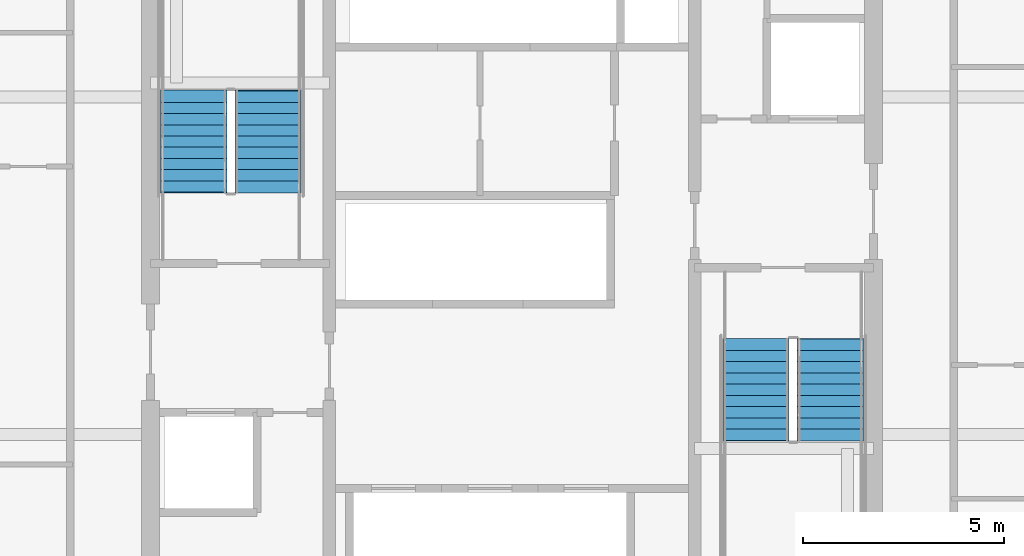
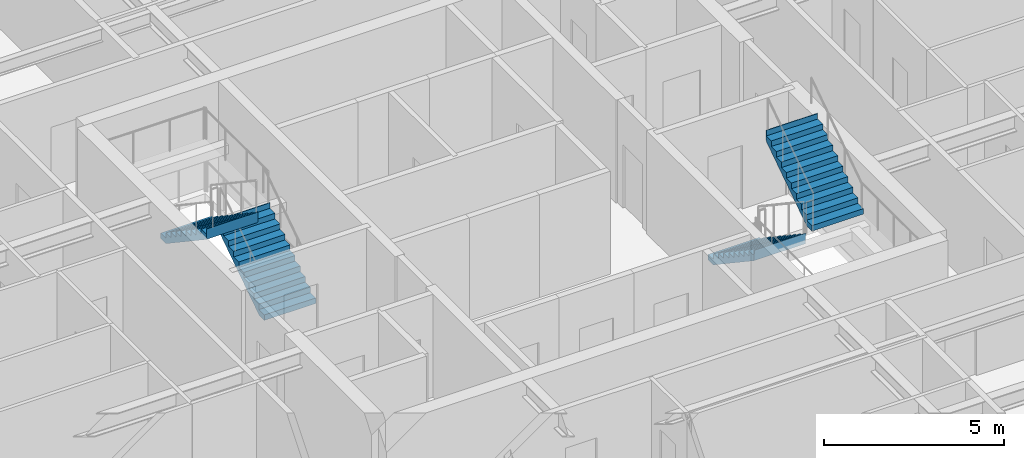
# One storey, part 32 of 37: 4 stair flights, 2 elements without a shape of their own.
"""IFC4 building model written with IfcOpenShell, lengths in metres."""

from ifc_helpers import new_model, si_unit, direction, frame, origin, place, context, subcontext, project, spatial, polygons, material, type_object, element, aggregate, save


model = new_model("IFC4")

# Units and contexts
model_context = context("Model", 3, precision=1e-05, world=origin(), true_north=direction((0.0, 1.0)))
body_context = subcontext(model_context, "Body", "Model", "MODEL_VIEW")
ifc_project = project(units=[si_unit("LENGTHUNIT", "METRE"), si_unit("AREAUNIT", "SQUARE_METRE"), si_unit("VOLUMEUNIT", "CUBIC_METRE"), si_unit("PLANEANGLEUNIT", "RADIAN"), si_unit("MASSUNIT", "GRAM", prefix="KILO")], contexts=[model_context])

# Site, building, storey
site_placement = place(None, origin())
site = spatial("IfcSite", under=ifc_project, at=site_placement, CompositionType="ELEMENT")
building_placement = place(site_placement, origin())
building = spatial("IfcBuilding", under=site, at=building_placement, Name="Serunith Strait Residences", CompositionType="ELEMENT")
storey_placement = place(building_placement, frame((0.0, 0.0, 34.199951171875)))
storey = spatial("IfcBuildingStorey", under=building, at=storey_placement, Name="L07", CompositionType="ELEMENT", Elevation=34.199951171875)

# Stair, stair flights
ifc_material = material(Name="Concrete C50/60", Category="concrete")
stair_type_1 = type_object("IfcStairType", Name="STR-CORE-1", PredefinedType="HALF_TURN_STAIR", material=ifc_material)
stair_1_placement = place(storey_placement, origin())
stair_1 = element("IfcStair", 1, at=stair_1_placement, inside=storey, type_object=stair_type_1, Name="L07 Protected Escape Stair ST-1", PredefinedType="HALF_TURN_STAIR")
stair_flight_type_1 = type_object("IfcStairFlightType", Name="FLT-CORE-1", PredefinedType="STRAIGHT", material=ifc_material)
stair_flight_1_placement = place(storey_placement, frame((26.324951171875, 27.030029296875, 0.0), z_axis=(0.0, 0.0, 1.0), x_axis=(0.0, 1.0, 0.0)))
stair_flight_1 = element("IfcStairFlight", 2, at=stair_flight_1_placement, type_object=stair_flight_type_1, Name="ST-1 flight 1", NumberOfRisers=10, NumberOfTreads=9, PredefinedType="STRAIGHT", RiserHeight=0.1875, TreadLength=0.28, context=body_context, shape_type="Tessellation", body=[
    polygons([(-0.02001953125, -0.824951171875, 0.0), (-0.02001953125, -0.824951171875, 0.1875), (0.280029296875, -0.824951171875, 0.1875), (0.280029296875, -0.824951171875, 0.375), (0.56005859375, -0.824951171875, 0.375), (0.56005859375, -0.824951171875, 0.5625), (0.840087890625, -0.824951171875, 0.5625), (0.840087890625, -0.824951171875, 0.75), (1.1201171875, -0.824951171875, 0.75), (1.1201171875, -0.824951171875, 0.9375), (1.39990234375, -0.824951171875, 0.9375), (1.39990234375, -0.824951171875, 1.125), (1.679931640625, -0.824951171875, 1.125), (1.679931640625, -0.824951171875, 1.3125), (1.9599609375, -0.824951171875, 1.3125), (1.9599609375, -0.824951171875, 1.5), (2.239990234375, -0.824951171875, 1.5), (2.239990234375, -0.824951171875, 1.6875), (2.52001953125, -0.824951171875, 1.6875), (2.52001953125, -0.824951171875, 1.875), (2.5400390625, -0.824951171875, 1.875), (2.5400390625, -0.824951171875, 1.81494140625), (2.52001953125, -0.824951171875, 1.507080078125), (0.26953125, -0.824951171875, 0.0), (-0.02001953125, -0.41259765625, 0.0), (-0.02001953125, -0.41259765625, 0.1875), (0.280029296875, -0.41259765625, 0.1875), (0.280029296875, -0.41259765625, 0.375), (0.56005859375, -0.41259765625, 0.375), (0.56005859375, -0.41259765625, 0.5625), (0.840087890625, -0.41259765625, 0.5625), (0.840087890625, -0.41259765625, 0.75), (1.1201171875, -0.41259765625, 0.75), (1.1201171875, -0.41259765625, 0.9375), (1.39990234375, -0.41259765625, 0.9375), (1.39990234375, -0.41259765625, 1.125), (1.679931640625, -0.41259765625, 1.125), (1.679931640625, -0.41259765625, 1.3125), (1.9599609375, -0.41259765625, 1.3125), (1.9599609375, -0.41259765625, 1.5), (2.239990234375, -0.41259765625, 1.5), (2.239990234375, -0.41259765625, 1.6875), (2.52001953125, -0.41259765625, 1.6875), (2.52001953125, -0.41259765625, 1.875), (2.5400390625, -0.41259765625, 1.875), (2.5400390625, -0.41259765625, 1.81494140625), (2.52001953125, -0.41259765625, 1.507080078125), (0.26953125, -0.41259765625, 0.0), (-0.02001953125, 0.0, 0.0), (-0.02001953125, 0.0, 0.1875), (0.280029296875, 0.0, 0.1875), (0.280029296875, 0.0, 0.375), (0.56005859375, 0.0, 0.375), (0.56005859375, 0.0, 0.5625), (0.840087890625, 0.0, 0.5625), (0.840087890625, 0.0, 0.75), (1.1201171875, 0.0, 0.75), (1.1201171875, 0.0, 0.9375), (1.39990234375, 0.0, 0.9375), (1.39990234375, 0.0, 1.125), (1.679931640625, 0.0, 1.125), (1.679931640625, 0.0, 1.3125), (1.9599609375, 0.0, 1.3125), (1.9599609375, 0.0, 1.5), (2.239990234375, 0.0, 1.5), (2.239990234375, 0.0, 1.6875), (2.52001953125, 0.0, 1.6875), (2.52001953125, 0.0, 1.875), (2.5400390625, 0.0, 1.875), (2.5400390625, 0.0, 1.81494140625), (2.52001953125, 0.0, 1.507080078125), (0.26953125, 0.0, 0.0), (-0.02001953125, 0.41259765625, 0.0), (-0.02001953125, 0.41259765625, 0.1875), (0.280029296875, 0.41259765625, 0.1875), (0.280029296875, 0.41259765625, 0.375), (0.56005859375, 0.41259765625, 0.375), (0.56005859375, 0.41259765625, 0.5625), (0.840087890625, 0.41259765625, 0.5625), (0.840087890625, 0.41259765625, 0.75), (1.1201171875, 0.41259765625, 0.75), (1.1201171875, 0.41259765625, 0.9375), (1.39990234375, 0.41259765625, 0.9375), (1.39990234375, 0.41259765625, 1.125), (1.679931640625, 0.41259765625, 1.125), (1.679931640625, 0.41259765625, 1.3125), (1.9599609375, 0.41259765625, 1.3125), (1.9599609375, 0.41259765625, 1.5), (2.239990234375, 0.41259765625, 1.5), (2.239990234375, 0.41259765625, 1.6875), (2.52001953125, 0.41259765625, 1.6875), (2.52001953125, 0.41259765625, 1.875), (2.5400390625, 0.41259765625, 1.875), (2.5400390625, 0.41259765625, 1.81494140625), (2.52001953125, 0.41259765625, 1.507080078125), (0.26953125, 0.41259765625, 0.0), (-0.02001953125, 0.824951171875, 0.0), (-0.02001953125, 0.824951171875, 0.1875), (0.280029296875, 0.824951171875, 0.1875), (0.280029296875, 0.824951171875, 0.375), (0.56005859375, 0.824951171875, 0.375), (0.56005859375, 0.824951171875, 0.5625), (0.840087890625, 0.824951171875, 0.5625), (0.840087890625, 0.824951171875, 0.75), (1.1201171875, 0.824951171875, 0.75), (1.1201171875, 0.824951171875, 0.9375), (1.39990234375, 0.824951171875, 0.9375), (1.39990234375, 0.824951171875, 1.125), (1.679931640625, 0.824951171875, 1.125), (1.679931640625, 0.824951171875, 1.3125), (1.9599609375, 0.824951171875, 1.3125), (1.9599609375, 0.824951171875, 1.5), (2.239990234375, 0.824951171875, 1.5), (2.239990234375, 0.824951171875, 1.6875), (2.52001953125, 0.824951171875, 1.6875), (2.52001953125, 0.824951171875, 1.875), (2.5400390625, 0.824951171875, 1.875), (2.5400390625, 0.824951171875, 1.81494140625), (2.52001953125, 0.824951171875, 1.507080078125), (0.26953125, 0.824951171875, 0.0)], [[[1, 2, 26, 25]], [[2, 3, 27, 26]], [[3, 4, 28, 27]], [[4, 5, 29, 28]], [[5, 6, 30, 29]], [[6, 7, 31, 30]], [[7, 8, 32, 31]], [[8, 9, 33, 32]], [[9, 10, 34, 33]], [[10, 11, 35, 34]], [[11, 12, 36, 35]], [[12, 13, 37, 36]], [[13, 14, 38, 37]], [[14, 15, 39, 38]], [[15, 16, 40, 39]], [[16, 17, 41, 40]], [[17, 18, 42, 41]], [[18, 19, 43, 42]], [[19, 20, 44, 43]], [[20, 21, 45, 44]], [[21, 22, 46, 45]], [[22, 23, 47, 46]], [[23, 24, 48, 47]], [[24, 1, 25, 48]], [[25, 26, 50, 49]], [[26, 27, 51, 50]], [[27, 28, 52, 51]], [[28, 29, 53, 52]], [[29, 30, 54, 53]], [[30, 31, 55, 54]], [[31, 32, 56, 55]], [[32, 33, 57, 56]], [[33, 34, 58, 57]], [[34, 35, 59, 58]], [[35, 36, 60, 59]], [[36, 37, 61, 60]], [[37, 38, 62, 61]], [[38, 39, 63, 62]], [[39, 40, 64, 63]], [[40, 41, 65, 64]], [[41, 42, 66, 65]], [[42, 43, 67, 66]], [[43, 44, 68, 67]], [[44, 45, 69, 68]], [[45, 46, 70, 69]], [[46, 47, 71, 70]], [[47, 48, 72, 71]], [[48, 25, 49, 72]], [[49, 50, 74, 73]], [[50, 51, 75, 74]], [[51, 52, 76, 75]], [[52, 53, 77, 76]], [[53, 54, 78, 77]], [[54, 55, 79, 78]], [[55, 56, 80, 79]], [[56, 57, 81, 80]], [[57, 58, 82, 81]], [[58, 59, 83, 82]], [[59, 60, 84, 83]], [[60, 61, 85, 84]], [[61, 62, 86, 85]], [[62, 63, 87, 86]], [[63, 64, 88, 87]], [[64, 65, 89, 88]], [[65, 66, 90, 89]], [[66, 67, 91, 90]], [[67, 68, 92, 91]], [[68, 69, 93, 92]], [[69, 70, 94, 93]], [[70, 71, 95, 94]], [[71, 72, 96, 95]], [[72, 49, 73, 96]], [[73, 74, 98, 97]], [[74, 75, 99, 98]], [[75, 76, 100, 99]], [[76, 77, 101, 100]], [[77, 78, 102, 101]], [[78, 79, 103, 102]], [[79, 80, 104, 103]], [[80, 81, 105, 104]], [[81, 82, 106, 105]], [[82, 83, 107, 106]], [[83, 84, 108, 107]], [[84, 85, 109, 108]], [[85, 86, 110, 109]], [[86, 87, 111, 110]], [[87, 88, 112, 111]], [[88, 89, 113, 112]], [[89, 90, 114, 113]], [[90, 91, 115, 114]], [[91, 92, 116, 115]], [[92, 93, 117, 116]], [[93, 94, 118, 117]], [[94, 95, 119, 118]], [[95, 96, 120, 119]], [[96, 73, 97, 120]], [[24, 23, 22, 21, 20, 19, 18, 17, 16, 15, 14, 13, 12, 11, 10, 9, 8, 7, 6, 5, 4, 3, 2, 1]], [[97, 98, 99, 100, 101, 102, 103, 104, 105, 106, 107, 108, 109, 110, 111, 112, 113, 114, 115, 116, 117, 118, 119, 120]]], closed=True),
])
stair_flight_2_placement = place(storey_placement, frame((24.47509765625, 29.550048828125, 1.875), z_axis=(0.0, 0.0, 1.0), x_axis=(0.0, -1.0, 0.0)))
stair_flight_2 = element("IfcStairFlight", 3, at=stair_flight_2_placement, type_object=stair_flight_type_1, Name="ST-1 flight 2", NumberOfRisers=10, NumberOfTreads=9, PredefinedType="STRAIGHT", RiserHeight=0.1875, TreadLength=0.28, context=body_context, shape_type="Tessellation", body=[
    polygons([(-0.02001953125, -0.824951171875, 0.0), (-0.02001953125, -0.824951171875, 0.1875), (0.280029296875, -0.824951171875, 0.1875), (0.280029296875, -0.824951171875, 0.375), (0.56005859375, -0.824951171875, 0.375), (0.56005859375, -0.824951171875, 0.5625), (0.840087890625, -0.824951171875, 0.5625), (0.840087890625, -0.824951171875, 0.75), (1.1201171875, -0.824951171875, 0.75), (1.1201171875, -0.824951171875, 0.9375), (1.39990234375, -0.824951171875, 0.9375), (1.39990234375, -0.824951171875, 1.125), (1.679931640625, -0.824951171875, 1.125), (1.679931640625, -0.824951171875, 1.3125), (1.9599609375, -0.824951171875, 1.3125), (1.9599609375, -0.824951171875, 1.5), (2.239990234375, -0.824951171875, 1.5), (2.239990234375, -0.824951171875, 1.6875), (2.52001953125, -0.824951171875, 1.6875), (2.52001953125, -0.824951171875, 1.875), (2.5400390625, -0.824951171875, 1.875), (2.5400390625, -0.824951171875, 1.81494140625), (2.52001953125, -0.824951171875, 1.507080078125), (0.26953125, -0.824951171875, 0.0), (-0.02001953125, -0.41259765625, 0.0), (-0.02001953125, -0.41259765625, 0.1875), (0.280029296875, -0.41259765625, 0.1875), (0.280029296875, -0.41259765625, 0.375), (0.56005859375, -0.41259765625, 0.375), (0.56005859375, -0.41259765625, 0.5625), (0.840087890625, -0.41259765625, 0.5625), (0.840087890625, -0.41259765625, 0.75), (1.1201171875, -0.41259765625, 0.75), (1.1201171875, -0.41259765625, 0.9375), (1.39990234375, -0.41259765625, 0.9375), (1.39990234375, -0.41259765625, 1.125), (1.679931640625, -0.41259765625, 1.125), (1.679931640625, -0.41259765625, 1.3125), (1.9599609375, -0.41259765625, 1.3125), (1.9599609375, -0.41259765625, 1.5), (2.239990234375, -0.41259765625, 1.5), (2.239990234375, -0.41259765625, 1.6875), (2.52001953125, -0.41259765625, 1.6875), (2.52001953125, -0.41259765625, 1.875), (2.5400390625, -0.41259765625, 1.875), (2.5400390625, -0.41259765625, 1.81494140625), (2.52001953125, -0.41259765625, 1.507080078125), (0.26953125, -0.41259765625, 0.0), (-0.02001953125, 0.0, 0.0), (-0.02001953125, 0.0, 0.1875), (0.280029296875, 0.0, 0.1875), (0.280029296875, 0.0, 0.375), (0.56005859375, 0.0, 0.375), (0.56005859375, 0.0, 0.5625), (0.840087890625, 0.0, 0.5625), (0.840087890625, 0.0, 0.75), (1.1201171875, 0.0, 0.75), (1.1201171875, 0.0, 0.9375), (1.39990234375, 0.0, 0.9375), (1.39990234375, 0.0, 1.125), (1.679931640625, 0.0, 1.125), (1.679931640625, 0.0, 1.3125), (1.9599609375, 0.0, 1.3125), (1.9599609375, 0.0, 1.5), (2.239990234375, 0.0, 1.5), (2.239990234375, 0.0, 1.6875), (2.52001953125, 0.0, 1.6875), (2.52001953125, 0.0, 1.875), (2.5400390625, 0.0, 1.875), (2.5400390625, 0.0, 1.81494140625), (2.52001953125, 0.0, 1.507080078125), (0.26953125, 0.0, 0.0), (-0.02001953125, 0.41259765625, 0.0), (-0.02001953125, 0.41259765625, 0.1875), (0.280029296875, 0.41259765625, 0.1875), (0.280029296875, 0.41259765625, 0.375), (0.56005859375, 0.41259765625, 0.375), (0.56005859375, 0.41259765625, 0.5625), (0.840087890625, 0.41259765625, 0.5625), (0.840087890625, 0.41259765625, 0.75), (1.1201171875, 0.41259765625, 0.75), (1.1201171875, 0.41259765625, 0.9375), (1.39990234375, 0.41259765625, 0.9375), (1.39990234375, 0.41259765625, 1.125), (1.679931640625, 0.41259765625, 1.125), (1.679931640625, 0.41259765625, 1.3125), (1.9599609375, 0.41259765625, 1.3125), (1.9599609375, 0.41259765625, 1.5), (2.239990234375, 0.41259765625, 1.5), (2.239990234375, 0.41259765625, 1.6875), (2.52001953125, 0.41259765625, 1.6875), (2.52001953125, 0.41259765625, 1.875), (2.5400390625, 0.41259765625, 1.875), (2.5400390625, 0.41259765625, 1.81494140625), (2.52001953125, 0.41259765625, 1.507080078125), (0.26953125, 0.41259765625, 0.0), (-0.02001953125, 0.824951171875, 0.0), (-0.02001953125, 0.824951171875, 0.1875), (0.280029296875, 0.824951171875, 0.1875), (0.280029296875, 0.824951171875, 0.375), (0.56005859375, 0.824951171875, 0.375), (0.56005859375, 0.824951171875, 0.5625), (0.840087890625, 0.824951171875, 0.5625), (0.840087890625, 0.824951171875, 0.75), (1.1201171875, 0.824951171875, 0.75), (1.1201171875, 0.824951171875, 0.9375), (1.39990234375, 0.824951171875, 0.9375), (1.39990234375, 0.824951171875, 1.125), (1.679931640625, 0.824951171875, 1.125), (1.679931640625, 0.824951171875, 1.3125), (1.9599609375, 0.824951171875, 1.3125), (1.9599609375, 0.824951171875, 1.5), (2.239990234375, 0.824951171875, 1.5), (2.239990234375, 0.824951171875, 1.6875), (2.52001953125, 0.824951171875, 1.6875), (2.52001953125, 0.824951171875, 1.875), (2.5400390625, 0.824951171875, 1.875), (2.5400390625, 0.824951171875, 1.81494140625), (2.52001953125, 0.824951171875, 1.507080078125), (0.26953125, 0.824951171875, 0.0)], [[[1, 2, 26, 25]], [[2, 3, 27, 26]], [[3, 4, 28, 27]], [[4, 5, 29, 28]], [[5, 6, 30, 29]], [[6, 7, 31, 30]], [[7, 8, 32, 31]], [[8, 9, 33, 32]], [[9, 10, 34, 33]], [[10, 11, 35, 34]], [[11, 12, 36, 35]], [[12, 13, 37, 36]], [[13, 14, 38, 37]], [[14, 15, 39, 38]], [[15, 16, 40, 39]], [[16, 17, 41, 40]], [[17, 18, 42, 41]], [[18, 19, 43, 42]], [[19, 20, 44, 43]], [[20, 21, 45, 44]], [[21, 22, 46, 45]], [[22, 23, 47, 46]], [[23, 24, 48, 47]], [[24, 1, 25, 48]], [[25, 26, 50, 49]], [[26, 27, 51, 50]], [[27, 28, 52, 51]], [[28, 29, 53, 52]], [[29, 30, 54, 53]], [[30, 31, 55, 54]], [[31, 32, 56, 55]], [[32, 33, 57, 56]], [[33, 34, 58, 57]], [[34, 35, 59, 58]], [[35, 36, 60, 59]], [[36, 37, 61, 60]], [[37, 38, 62, 61]], [[38, 39, 63, 62]], [[39, 40, 64, 63]], [[40, 41, 65, 64]], [[41, 42, 66, 65]], [[42, 43, 67, 66]], [[43, 44, 68, 67]], [[44, 45, 69, 68]], [[45, 46, 70, 69]], [[46, 47, 71, 70]], [[47, 48, 72, 71]], [[48, 25, 49, 72]], [[49, 50, 74, 73]], [[50, 51, 75, 74]], [[51, 52, 76, 75]], [[52, 53, 77, 76]], [[53, 54, 78, 77]], [[54, 55, 79, 78]], [[55, 56, 80, 79]], [[56, 57, 81, 80]], [[57, 58, 82, 81]], [[58, 59, 83, 82]], [[59, 60, 84, 83]], [[60, 61, 85, 84]], [[61, 62, 86, 85]], [[62, 63, 87, 86]], [[63, 64, 88, 87]], [[64, 65, 89, 88]], [[65, 66, 90, 89]], [[66, 67, 91, 90]], [[67, 68, 92, 91]], [[68, 69, 93, 92]], [[69, 70, 94, 93]], [[70, 71, 95, 94]], [[71, 72, 96, 95]], [[72, 49, 73, 96]], [[73, 74, 98, 97]], [[74, 75, 99, 98]], [[75, 76, 100, 99]], [[76, 77, 101, 100]], [[77, 78, 102, 101]], [[78, 79, 103, 102]], [[79, 80, 104, 103]], [[80, 81, 105, 104]], [[81, 82, 106, 105]], [[82, 83, 107, 106]], [[83, 84, 108, 107]], [[84, 85, 109, 108]], [[85, 86, 110, 109]], [[86, 87, 111, 110]], [[87, 88, 112, 111]], [[88, 89, 113, 112]], [[89, 90, 114, 113]], [[90, 91, 115, 114]], [[91, 92, 116, 115]], [[92, 93, 117, 116]], [[93, 94, 118, 117]], [[94, 95, 119, 118]], [[95, 96, 120, 119]], [[96, 73, 97, 120]], [[24, 23, 22, 21, 20, 19, 18, 17, 16, 15, 14, 13, 12, 11, 10, 9, 8, 7, 6, 5, 4, 3, 2, 1]], [[97, 98, 99, 100, 101, 102, 103, 104, 105, 106, 107, 108, 109, 110, 111, 112, 113, 114, 115, 116, 117, 118, 119, 120]]], closed=True),
])
aggregate(stair_1, [stair_flight_1, stair_flight_2])

stair_type_2 = type_object("IfcStairType", Name="STR-CORE-2", PredefinedType="HALF_TURN_STAIR", material=ifc_material)
stair_2_placement = place(storey_placement, origin())
stair_2 = element("IfcStair", 4, at=stair_2_placement, inside=storey, type_object=stair_type_2, Name="L07 Protected Escape Stair ST-2", PredefinedType="HALF_TURN_STAIR")
stair_flight_type_2 = type_object("IfcStairFlightType", Name="FLT-CORE-2", PredefinedType="STRAIGHT", material=ifc_material)
stair_flight_3_placement = place(storey_placement, frame((38.47509765625, 23.3701171875, 0.0), z_axis=(0.0, 0.0, 1.0), x_axis=(0.0, -1.0, 0.0)))
stair_flight_3 = element("IfcStairFlight", 5, at=stair_flight_3_placement, type_object=stair_flight_type_2, Name="ST-2 flight 1", NumberOfRisers=10, NumberOfTreads=9, PredefinedType="STRAIGHT", RiserHeight=0.1875, TreadLength=0.28, context=body_context, shape_type="Tessellation", body=[
    polygons([(-0.02001953125, -0.824951171875, 0.0), (-0.02001953125, -0.824951171875, 0.1875), (0.280029296875, -0.824951171875, 0.1875), (0.280029296875, -0.824951171875, 0.375), (0.56005859375, -0.824951171875, 0.375), (0.56005859375, -0.824951171875, 0.5625), (0.840087890625, -0.824951171875, 0.5625), (0.840087890625, -0.824951171875, 0.75), (1.1201171875, -0.824951171875, 0.75), (1.1201171875, -0.824951171875, 0.9375), (1.39990234375, -0.824951171875, 0.9375), (1.39990234375, -0.824951171875, 1.125), (1.679931640625, -0.824951171875, 1.125), (1.679931640625, -0.824951171875, 1.3125), (1.9599609375, -0.824951171875, 1.3125), (1.9599609375, -0.824951171875, 1.5), (2.239990234375, -0.824951171875, 1.5), (2.239990234375, -0.824951171875, 1.6875), (2.52001953125, -0.824951171875, 1.6875), (2.52001953125, -0.824951171875, 1.875), (2.5400390625, -0.824951171875, 1.875), (2.5400390625, -0.824951171875, 1.81494140625), (2.52001953125, -0.824951171875, 1.507080078125), (0.26953125, -0.824951171875, 0.0), (-0.02001953125, -0.41259765625, 0.0), (-0.02001953125, -0.41259765625, 0.1875), (0.280029296875, -0.41259765625, 0.1875), (0.280029296875, -0.41259765625, 0.375), (0.56005859375, -0.41259765625, 0.375), (0.56005859375, -0.41259765625, 0.5625), (0.840087890625, -0.41259765625, 0.5625), (0.840087890625, -0.41259765625, 0.75), (1.1201171875, -0.41259765625, 0.75), (1.1201171875, -0.41259765625, 0.9375), (1.39990234375, -0.41259765625, 0.9375), (1.39990234375, -0.41259765625, 1.125), (1.679931640625, -0.41259765625, 1.125), (1.679931640625, -0.41259765625, 1.3125), (1.9599609375, -0.41259765625, 1.3125), (1.9599609375, -0.41259765625, 1.5), (2.239990234375, -0.41259765625, 1.5), (2.239990234375, -0.41259765625, 1.6875), (2.52001953125, -0.41259765625, 1.6875), (2.52001953125, -0.41259765625, 1.875), (2.5400390625, -0.41259765625, 1.875), (2.5400390625, -0.41259765625, 1.81494140625), (2.52001953125, -0.41259765625, 1.507080078125), (0.26953125, -0.41259765625, 0.0), (-0.02001953125, 0.0, 0.0), (-0.02001953125, 0.0, 0.1875), (0.280029296875, 0.0, 0.1875), (0.280029296875, 0.0, 0.375), (0.56005859375, 0.0, 0.375), (0.56005859375, 0.0, 0.5625), (0.840087890625, 0.0, 0.5625), (0.840087890625, 0.0, 0.75), (1.1201171875, 0.0, 0.75), (1.1201171875, 0.0, 0.9375), (1.39990234375, 0.0, 0.9375), (1.39990234375, 0.0, 1.125), (1.679931640625, 0.0, 1.125), (1.679931640625, 0.0, 1.3125), (1.9599609375, 0.0, 1.3125), (1.9599609375, 0.0, 1.5), (2.239990234375, 0.0, 1.5), (2.239990234375, 0.0, 1.6875), (2.52001953125, 0.0, 1.6875), (2.52001953125, 0.0, 1.875), (2.5400390625, 0.0, 1.875), (2.5400390625, 0.0, 1.81494140625), (2.52001953125, 0.0, 1.507080078125), (0.26953125, 0.0, 0.0), (-0.02001953125, 0.41259765625, 0.0), (-0.02001953125, 0.41259765625, 0.1875), (0.280029296875, 0.41259765625, 0.1875), (0.280029296875, 0.41259765625, 0.375), (0.56005859375, 0.41259765625, 0.375), (0.56005859375, 0.41259765625, 0.5625), (0.840087890625, 0.41259765625, 0.5625), (0.840087890625, 0.41259765625, 0.75), (1.1201171875, 0.41259765625, 0.75), (1.1201171875, 0.41259765625, 0.9375), (1.39990234375, 0.41259765625, 0.9375), (1.39990234375, 0.41259765625, 1.125), (1.679931640625, 0.41259765625, 1.125), (1.679931640625, 0.41259765625, 1.3125), (1.9599609375, 0.41259765625, 1.3125), (1.9599609375, 0.41259765625, 1.5), (2.239990234375, 0.41259765625, 1.5), (2.239990234375, 0.41259765625, 1.6875), (2.52001953125, 0.41259765625, 1.6875), (2.52001953125, 0.41259765625, 1.875), (2.5400390625, 0.41259765625, 1.875), (2.5400390625, 0.41259765625, 1.81494140625), (2.52001953125, 0.41259765625, 1.507080078125), (0.26953125, 0.41259765625, 0.0), (-0.02001953125, 0.824951171875, 0.0), (-0.02001953125, 0.824951171875, 0.1875), (0.280029296875, 0.824951171875, 0.1875), (0.280029296875, 0.824951171875, 0.375), (0.56005859375, 0.824951171875, 0.375), (0.56005859375, 0.824951171875, 0.5625), (0.840087890625, 0.824951171875, 0.5625), (0.840087890625, 0.824951171875, 0.75), (1.1201171875, 0.824951171875, 0.75), (1.1201171875, 0.824951171875, 0.9375), (1.39990234375, 0.824951171875, 0.9375), (1.39990234375, 0.824951171875, 1.125), (1.679931640625, 0.824951171875, 1.125), (1.679931640625, 0.824951171875, 1.3125), (1.9599609375, 0.824951171875, 1.3125), (1.9599609375, 0.824951171875, 1.5), (2.239990234375, 0.824951171875, 1.5), (2.239990234375, 0.824951171875, 1.6875), (2.52001953125, 0.824951171875, 1.6875), (2.52001953125, 0.824951171875, 1.875), (2.5400390625, 0.824951171875, 1.875), (2.5400390625, 0.824951171875, 1.81494140625), (2.52001953125, 0.824951171875, 1.507080078125), (0.26953125, 0.824951171875, 0.0)], [[[1, 2, 26, 25]], [[2, 3, 27, 26]], [[3, 4, 28, 27]], [[4, 5, 29, 28]], [[5, 6, 30, 29]], [[6, 7, 31, 30]], [[7, 8, 32, 31]], [[8, 9, 33, 32]], [[9, 10, 34, 33]], [[10, 11, 35, 34]], [[11, 12, 36, 35]], [[12, 13, 37, 36]], [[13, 14, 38, 37]], [[14, 15, 39, 38]], [[15, 16, 40, 39]], [[16, 17, 41, 40]], [[17, 18, 42, 41]], [[18, 19, 43, 42]], [[19, 20, 44, 43]], [[20, 21, 45, 44]], [[21, 22, 46, 45]], [[22, 23, 47, 46]], [[23, 24, 48, 47]], [[24, 1, 25, 48]], [[25, 26, 50, 49]], [[26, 27, 51, 50]], [[27, 28, 52, 51]], [[28, 29, 53, 52]], [[29, 30, 54, 53]], [[30, 31, 55, 54]], [[31, 32, 56, 55]], [[32, 33, 57, 56]], [[33, 34, 58, 57]], [[34, 35, 59, 58]], [[35, 36, 60, 59]], [[36, 37, 61, 60]], [[37, 38, 62, 61]], [[38, 39, 63, 62]], [[39, 40, 64, 63]], [[40, 41, 65, 64]], [[41, 42, 66, 65]], [[42, 43, 67, 66]], [[43, 44, 68, 67]], [[44, 45, 69, 68]], [[45, 46, 70, 69]], [[46, 47, 71, 70]], [[47, 48, 72, 71]], [[48, 25, 49, 72]], [[49, 50, 74, 73]], [[50, 51, 75, 74]], [[51, 52, 76, 75]], [[52, 53, 77, 76]], [[53, 54, 78, 77]], [[54, 55, 79, 78]], [[55, 56, 80, 79]], [[56, 57, 81, 80]], [[57, 58, 82, 81]], [[58, 59, 83, 82]], [[59, 60, 84, 83]], [[60, 61, 85, 84]], [[61, 62, 86, 85]], [[62, 63, 87, 86]], [[63, 64, 88, 87]], [[64, 65, 89, 88]], [[65, 66, 90, 89]], [[66, 67, 91, 90]], [[67, 68, 92, 91]], [[68, 69, 93, 92]], [[69, 70, 94, 93]], [[70, 71, 95, 94]], [[71, 72, 96, 95]], [[72, 49, 73, 96]], [[73, 74, 98, 97]], [[74, 75, 99, 98]], [[75, 76, 100, 99]], [[76, 77, 101, 100]], [[77, 78, 102, 101]], [[78, 79, 103, 102]], [[79, 80, 104, 103]], [[80, 81, 105, 104]], [[81, 82, 106, 105]], [[82, 83, 107, 106]], [[83, 84, 108, 107]], [[84, 85, 109, 108]], [[85, 86, 110, 109]], [[86, 87, 111, 110]], [[87, 88, 112, 111]], [[88, 89, 113, 112]], [[89, 90, 114, 113]], [[90, 91, 115, 114]], [[91, 92, 116, 115]], [[92, 93, 117, 116]], [[93, 94, 118, 117]], [[94, 95, 119, 118]], [[95, 96, 120, 119]], [[96, 73, 97, 120]], [[24, 23, 22, 21, 20, 19, 18, 17, 16, 15, 14, 13, 12, 11, 10, 9, 8, 7, 6, 5, 4, 3, 2, 1]], [[97, 98, 99, 100, 101, 102, 103, 104, 105, 106, 107, 108, 109, 110, 111, 112, 113, 114, 115, 116, 117, 118, 119, 120]]], closed=True),
])
stair_flight_4_placement = place(storey_placement, frame((40.324951171875, 20.85009765625, 1.875), z_axis=(0.0, 0.0, 1.0), x_axis=(0.0, 1.0, 0.0)))
stair_flight_4 = element("IfcStairFlight", 6, at=stair_flight_4_placement, type_object=stair_flight_type_2, Name="ST-2 flight 2", NumberOfRisers=10, NumberOfTreads=9, PredefinedType="STRAIGHT", RiserHeight=0.1875, TreadLength=0.28, context=body_context, shape_type="Tessellation", body=[
    polygons([(-0.02001953125, -0.824951171875, 0.0), (-0.02001953125, -0.824951171875, 0.1875), (0.280029296875, -0.824951171875, 0.1875), (0.280029296875, -0.824951171875, 0.375), (0.56005859375, -0.824951171875, 0.375), (0.56005859375, -0.824951171875, 0.5625), (0.840087890625, -0.824951171875, 0.5625), (0.840087890625, -0.824951171875, 0.75), (1.1201171875, -0.824951171875, 0.75), (1.1201171875, -0.824951171875, 0.9375), (1.39990234375, -0.824951171875, 0.9375), (1.39990234375, -0.824951171875, 1.125), (1.679931640625, -0.824951171875, 1.125), (1.679931640625, -0.824951171875, 1.3125), (1.9599609375, -0.824951171875, 1.3125), (1.9599609375, -0.824951171875, 1.5), (2.239990234375, -0.824951171875, 1.5), (2.239990234375, -0.824951171875, 1.6875), (2.52001953125, -0.824951171875, 1.6875), (2.52001953125, -0.824951171875, 1.875), (2.5400390625, -0.824951171875, 1.875), (2.5400390625, -0.824951171875, 1.81494140625), (2.52001953125, -0.824951171875, 1.507080078125), (0.26953125, -0.824951171875, 0.0), (-0.02001953125, -0.41259765625, 0.0), (-0.02001953125, -0.41259765625, 0.1875), (0.280029296875, -0.41259765625, 0.1875), (0.280029296875, -0.41259765625, 0.375), (0.56005859375, -0.41259765625, 0.375), (0.56005859375, -0.41259765625, 0.5625), (0.840087890625, -0.41259765625, 0.5625), (0.840087890625, -0.41259765625, 0.75), (1.1201171875, -0.41259765625, 0.75), (1.1201171875, -0.41259765625, 0.9375), (1.39990234375, -0.41259765625, 0.9375), (1.39990234375, -0.41259765625, 1.125), (1.679931640625, -0.41259765625, 1.125), (1.679931640625, -0.41259765625, 1.3125), (1.9599609375, -0.41259765625, 1.3125), (1.9599609375, -0.41259765625, 1.5), (2.239990234375, -0.41259765625, 1.5), (2.239990234375, -0.41259765625, 1.6875), (2.52001953125, -0.41259765625, 1.6875), (2.52001953125, -0.41259765625, 1.875), (2.5400390625, -0.41259765625, 1.875), (2.5400390625, -0.41259765625, 1.81494140625), (2.52001953125, -0.41259765625, 1.507080078125), (0.26953125, -0.41259765625, 0.0), (-0.02001953125, 0.0, 0.0), (-0.02001953125, 0.0, 0.1875), (0.280029296875, 0.0, 0.1875), (0.280029296875, 0.0, 0.375), (0.56005859375, 0.0, 0.375), (0.56005859375, 0.0, 0.5625), (0.840087890625, 0.0, 0.5625), (0.840087890625, 0.0, 0.75), (1.1201171875, 0.0, 0.75), (1.1201171875, 0.0, 0.9375), (1.39990234375, 0.0, 0.9375), (1.39990234375, 0.0, 1.125), (1.679931640625, 0.0, 1.125), (1.679931640625, 0.0, 1.3125), (1.9599609375, 0.0, 1.3125), (1.9599609375, 0.0, 1.5), (2.239990234375, 0.0, 1.5), (2.239990234375, 0.0, 1.6875), (2.52001953125, 0.0, 1.6875), (2.52001953125, 0.0, 1.875), (2.5400390625, 0.0, 1.875), (2.5400390625, 0.0, 1.81494140625), (2.52001953125, 0.0, 1.507080078125), (0.26953125, 0.0, 0.0), (-0.02001953125, 0.41259765625, 0.0), (-0.02001953125, 0.41259765625, 0.1875), (0.280029296875, 0.41259765625, 0.1875), (0.280029296875, 0.41259765625, 0.375), (0.56005859375, 0.41259765625, 0.375), (0.56005859375, 0.41259765625, 0.5625), (0.840087890625, 0.41259765625, 0.5625), (0.840087890625, 0.41259765625, 0.75), (1.1201171875, 0.41259765625, 0.75), (1.1201171875, 0.41259765625, 0.9375), (1.39990234375, 0.41259765625, 0.9375), (1.39990234375, 0.41259765625, 1.125), (1.679931640625, 0.41259765625, 1.125), (1.679931640625, 0.41259765625, 1.3125), (1.9599609375, 0.41259765625, 1.3125), (1.9599609375, 0.41259765625, 1.5), (2.239990234375, 0.41259765625, 1.5), (2.239990234375, 0.41259765625, 1.6875), (2.52001953125, 0.41259765625, 1.6875), (2.52001953125, 0.41259765625, 1.875), (2.5400390625, 0.41259765625, 1.875), (2.5400390625, 0.41259765625, 1.81494140625), (2.52001953125, 0.41259765625, 1.507080078125), (0.26953125, 0.41259765625, 0.0), (-0.02001953125, 0.824951171875, 0.0), (-0.02001953125, 0.824951171875, 0.1875), (0.280029296875, 0.824951171875, 0.1875), (0.280029296875, 0.824951171875, 0.375), (0.56005859375, 0.824951171875, 0.375), (0.56005859375, 0.824951171875, 0.5625), (0.840087890625, 0.824951171875, 0.5625), (0.840087890625, 0.824951171875, 0.75), (1.1201171875, 0.824951171875, 0.75), (1.1201171875, 0.824951171875, 0.9375), (1.39990234375, 0.824951171875, 0.9375), (1.39990234375, 0.824951171875, 1.125), (1.679931640625, 0.824951171875, 1.125), (1.679931640625, 0.824951171875, 1.3125), (1.9599609375, 0.824951171875, 1.3125), (1.9599609375, 0.824951171875, 1.5), (2.239990234375, 0.824951171875, 1.5), (2.239990234375, 0.824951171875, 1.6875), (2.52001953125, 0.824951171875, 1.6875), (2.52001953125, 0.824951171875, 1.875), (2.5400390625, 0.824951171875, 1.875), (2.5400390625, 0.824951171875, 1.81494140625), (2.52001953125, 0.824951171875, 1.507080078125), (0.26953125, 0.824951171875, 0.0)], [[[1, 2, 26, 25]], [[2, 3, 27, 26]], [[3, 4, 28, 27]], [[4, 5, 29, 28]], [[5, 6, 30, 29]], [[6, 7, 31, 30]], [[7, 8, 32, 31]], [[8, 9, 33, 32]], [[9, 10, 34, 33]], [[10, 11, 35, 34]], [[11, 12, 36, 35]], [[12, 13, 37, 36]], [[13, 14, 38, 37]], [[14, 15, 39, 38]], [[15, 16, 40, 39]], [[16, 17, 41, 40]], [[17, 18, 42, 41]], [[18, 19, 43, 42]], [[19, 20, 44, 43]], [[20, 21, 45, 44]], [[21, 22, 46, 45]], [[22, 23, 47, 46]], [[23, 24, 48, 47]], [[24, 1, 25, 48]], [[25, 26, 50, 49]], [[26, 27, 51, 50]], [[27, 28, 52, 51]], [[28, 29, 53, 52]], [[29, 30, 54, 53]], [[30, 31, 55, 54]], [[31, 32, 56, 55]], [[32, 33, 57, 56]], [[33, 34, 58, 57]], [[34, 35, 59, 58]], [[35, 36, 60, 59]], [[36, 37, 61, 60]], [[37, 38, 62, 61]], [[38, 39, 63, 62]], [[39, 40, 64, 63]], [[40, 41, 65, 64]], [[41, 42, 66, 65]], [[42, 43, 67, 66]], [[43, 44, 68, 67]], [[44, 45, 69, 68]], [[45, 46, 70, 69]], [[46, 47, 71, 70]], [[47, 48, 72, 71]], [[48, 25, 49, 72]], [[49, 50, 74, 73]], [[50, 51, 75, 74]], [[51, 52, 76, 75]], [[52, 53, 77, 76]], [[53, 54, 78, 77]], [[54, 55, 79, 78]], [[55, 56, 80, 79]], [[56, 57, 81, 80]], [[57, 58, 82, 81]], [[58, 59, 83, 82]], [[59, 60, 84, 83]], [[60, 61, 85, 84]], [[61, 62, 86, 85]], [[62, 63, 87, 86]], [[63, 64, 88, 87]], [[64, 65, 89, 88]], [[65, 66, 90, 89]], [[66, 67, 91, 90]], [[67, 68, 92, 91]], [[68, 69, 93, 92]], [[69, 70, 94, 93]], [[70, 71, 95, 94]], [[71, 72, 96, 95]], [[72, 49, 73, 96]], [[73, 74, 98, 97]], [[74, 75, 99, 98]], [[75, 76, 100, 99]], [[76, 77, 101, 100]], [[77, 78, 102, 101]], [[78, 79, 103, 102]], [[79, 80, 104, 103]], [[80, 81, 105, 104]], [[81, 82, 106, 105]], [[82, 83, 107, 106]], [[83, 84, 108, 107]], [[84, 85, 109, 108]], [[85, 86, 110, 109]], [[86, 87, 111, 110]], [[87, 88, 112, 111]], [[88, 89, 113, 112]], [[89, 90, 114, 113]], [[90, 91, 115, 114]], [[91, 92, 116, 115]], [[92, 93, 117, 116]], [[93, 94, 118, 117]], [[94, 95, 119, 118]], [[95, 96, 120, 119]], [[96, 73, 97, 120]], [[24, 23, 22, 21, 20, 19, 18, 17, 16, 15, 14, 13, 12, 11, 10, 9, 8, 7, 6, 5, 4, 3, 2, 1]], [[97, 98, 99, 100, 101, 102, 103, 104, 105, 106, 107, 108, 109, 110, 111, 112, 113, 114, 115, 116, 117, 118, 119, 120]]], closed=True),
])
aggregate(stair_2, [stair_flight_3, stair_flight_4])

save(model, "model.ifc")
